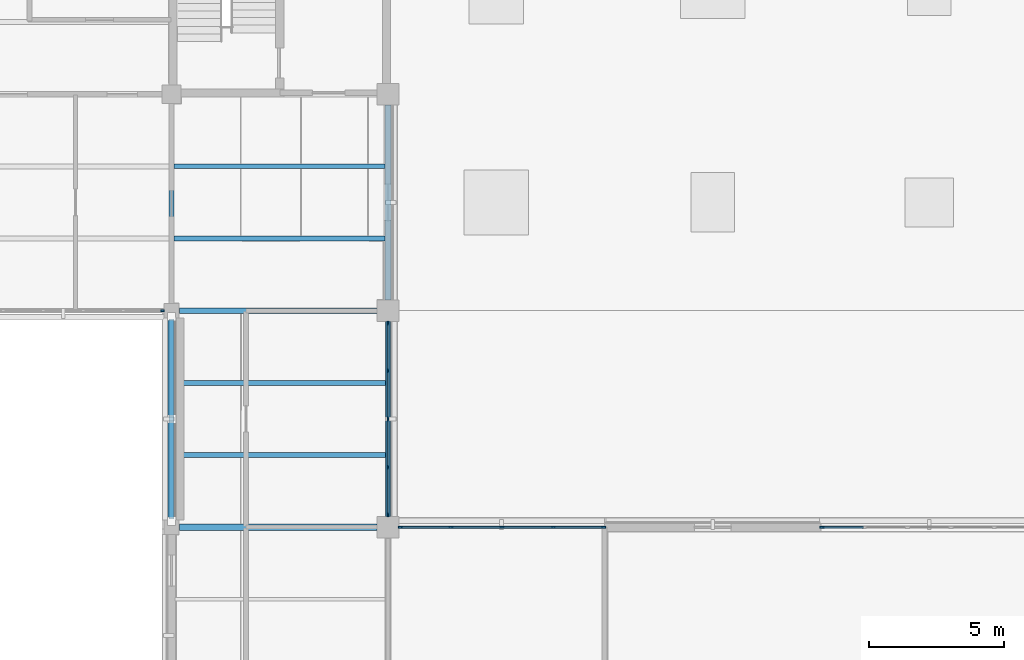
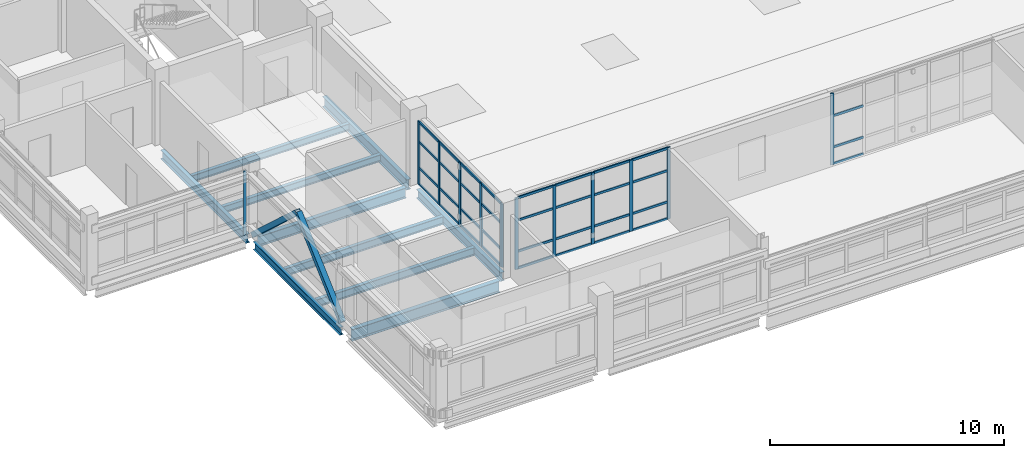
# One storey, part 21 of 107: 49 members, 10 beams, 4 elements without a shape of their own.
"""IFC4 building model written with IfcOpenShell, lengths in metres."""

from ifc_helpers import new_model, si_unit, derived_unit, direction, frame, origin, origin_2d, place, context, subcontext, project, spatial, rectangle, hollow_rectangle, i_section, extrude, material, layer, layer_set, material_profile, profile_set, type_object, element, aggregate, save


model = new_model("IFC4")

# Units and contexts
model_context = context("Model", 3, precision=1e-05, world=origin(), true_north=direction((0.0, 1.0)))
body_context = subcontext(model_context, "Body", "Model", "MODEL_VIEW")
ifc_project = project(units=[si_unit("LENGTHUNIT", "METRE"), si_unit("AREAUNIT", "SQUARE_METRE"), si_unit("VOLUMEUNIT", "CUBIC_METRE"), si_unit("PLANEANGLEUNIT", "RADIAN"), si_unit("MASSUNIT", "GRAM", prefix="KILO"), derived_unit("THERMALTRANSMITTANCEUNIT", [(si_unit("MASSUNIT", "GRAM", prefix="KILO"), 1), (si_unit("TIMEUNIT", "SECOND"), -3), (si_unit("THERMODYNAMICTEMPERATUREUNIT", "KELVIN"), -1)])], contexts=[model_context])

# Site, building, storey
site_placement = place(None, origin())
site = spatial("IfcSite", under=ifc_project, at=site_placement, CompositionType="ELEMENT")
building_placement = place(site_placement, origin())
building = spatial("IfcBuilding", under=site, at=building_placement, Name="Veyamyaing Civic Hall", CompositionType="ELEMENT")
storey_placement = place(building_placement, frame((0.0, 0.0, 13.860107421875)))
storey = spatial("IfcBuildingStorey", under=building, at=storey_placement, Name="L03", CompositionType="ELEMENT", Elevation=13.860107421875)

# Beams
ifc_material_1 = material(Name="Steel ASTM A992", Category="steel")
ifc_material_profile_1 = material_profile(ifc_material_1, i_section(OverallWidth=0.22802734375, OverallDepth=0.60791015625, WebThickness=0.01123046875, FlangeThickness=0.017333984375, FilletRadius=0.012939453125, at=origin_2d()), Name="W610X113")
ifc_profile_set_1 = profile_set([ifc_material_profile_1], Name="Steel ASTM A992")
beam_type_1 = type_object("IfcBeamType", Name="B-06", PredefinedType="BEAM", material=ifc_profile_set_1)
beam_1_placement = place(storey_placement, frame((64.300048828125, 32.0, -0.55908203125), z_axis=(1.0, 0.0, 0.0), x_axis=(0.0, 1.0, 0.0)))
element("IfcBeam", 1, at=beam_1_placement, inside=storey, type_object=beam_type_1, Name="Girder B-06 L03 Grid E 9-10", PredefinedType="BEAM", context=body_context, shape_type="SweptSolid", body=[
    extrude(i_section(OverallWidth=0.22802734375, OverallDepth=0.60791015625, WebThickness=0.01123046875, FlangeThickness=0.017333984375, FilletRadius=0.012939453125, at=origin_2d()), origin(), (0.0, 0.0, 1.0), 7.300048828125),
])
ifc_material_profile_2 = material_profile(ifc_material_1, i_section(OverallWidth=0.208984375, OverallDepth=0.532958984375, WebThickness=0.01025390625, FlangeThickness=0.015625, FilletRadius=0.011962890625, at=origin_2d()), Name="W530X92")
ifc_profile_set_2 = profile_set([ifc_material_profile_2], Name="Steel ASTM A992")
beam_type_2 = type_object("IfcBeamType", Name="B-07", PredefinedType="BEAM", material=ifc_profile_set_2)
beam_2_placement = place(storey_placement, frame((64.300048828125, 40.0, -0.521728515625), z_axis=(1.0, 0.0, 0.0), x_axis=(0.0, 1.0, 0.0)))
element("IfcBeam", 2, at=beam_2_placement, inside=storey, type_object=beam_type_2, Name="Girder B-07 L03 Grid F 9-10", PredefinedType="BEAM", context=body_context, shape_type="SweptSolid", body=[
    extrude(i_section(OverallWidth=0.208984375, OverallDepth=0.532958984375, WebThickness=0.01025390625, FlangeThickness=0.015625, FilletRadius=0.011962890625, at=origin_2d()), origin(), (0.0, 0.0, 1.0), 7.300048828125),
])
ifc_material_profile_3 = material_profile(ifc_material_1, i_section(OverallWidth=0.19189453125, OverallDepth=0.462890625, WebThickness=0.010498046875, FlangeThickness=0.017578125, FilletRadius=0.010009765625, at=origin_2d()), Name="W460X89")
ifc_profile_set_3 = profile_set([ifc_material_profile_3], Name="Steel ASTM A992")
beam_type_3 = type_object("IfcBeamType", Name="B-08", PredefinedType="BEAM", material=ifc_profile_set_3)
beam_3_placement = place(storey_placement, frame((64.0, 40.300048828125, -0.486572265625), z_axis=(0.0, 1.0, 0.0), x_axis=(-1.0, 0.0, 0.0)))
element("IfcBeam", 3, at=beam_3_placement, inside=storey, type_object=beam_type_3, Name="Girder B-08 L03 Grid 9 F-G", PredefinedType="BEAM", context=body_context, shape_type="SweptSolid", body=[
    extrude(i_section(OverallWidth=0.19189453125, OverallDepth=0.462890625, WebThickness=0.010498046875, FlangeThickness=0.017578125, FilletRadius=0.010009765625, at=origin_2d()), origin(), (0.0, 0.0, 1.0), 7.300048828125),
])
beam_4_placement = place(storey_placement, frame((72.0, 32.39990234375, -0.486572265625), z_axis=(0.0, 1.0, 0.0), x_axis=(-1.0, 0.0, 0.0)))
element("IfcBeam", 4, at=beam_4_placement, inside=storey, type_object=beam_type_3, Name="Girder B-08 L03 Grid 10 E-F", PredefinedType="BEAM", context=body_context, shape_type="SweptSolid", body=[
    extrude(i_section(OverallWidth=0.19189453125, OverallDepth=0.462890625, WebThickness=0.010498046875, FlangeThickness=0.017578125, FilletRadius=0.010009765625, at=origin_2d()), origin(), (0.0, 0.0, 1.0), 7.2001953125),
])
ifc_material_profile_4 = material_profile(ifc_material_1, i_section(OverallWidth=0.179931640625, OverallDepth=0.4130859375, WebThickness=0.009765625, FlangeThickness=0.01611328125, FilletRadius=0.010009765625, at=origin_2d()), Name="W410X74")
ifc_profile_set_4 = profile_set([ifc_material_profile_4], Name="Steel ASTM A992")
beam_type_4 = type_object("IfcBeamType", Name="B-10", PredefinedType="SPANDREL", material=ifc_profile_set_4)
beam_5_placement = place(storey_placement, frame((64.0, 32.300048828125, -0.461669921875), z_axis=(0.0, 1.0, 0.0), x_axis=(-1.0, 0.0, 0.0)))
element("IfcBeam", 5, at=beam_5_placement, inside=storey, type_object=beam_type_4, Name="Girder B-10 L03 Grid 9 E-F", PredefinedType="SPANDREL", context=body_context, shape_type="SweptSolid", body=[
    extrude(i_section(OverallWidth=0.179931640625, OverallDepth=0.4130859375, WebThickness=0.009765625, FlangeThickness=0.01611328125, FilletRadius=0.010009765625, at=origin_2d()), origin(), (0.0, 0.0, 1.0), 7.39990234375),
])
ifc_material_profile_5 = material_profile(ifc_material_1, i_section(OverallWidth=0.2109375, OverallDepth=0.5390625, WebThickness=0.01171875, FlangeThickness=0.018798828125, FilletRadius=0.011962890625, at=origin_2d()), Name="W530X109")
ifc_profile_set_5 = profile_set([ifc_material_profile_5], Name="Steel ASTM A992")
beam_type_5 = type_object("IfcBeamType", Name="B-17", PredefinedType="BEAM", material=ifc_profile_set_5)
beam_6_placement = place(storey_placement, frame((72.0, 40.39990234375, -0.524658203125), z_axis=(0.0, 1.0, 0.0), x_axis=(-1.0, 0.0, 0.0)))
element("IfcBeam", 6, at=beam_6_placement, inside=storey, type_object=beam_type_5, Name="Girder B-17 L03 Grid 10 F-G", PredefinedType="BEAM", context=body_context, shape_type="SweptSolid", body=[
    extrude(i_section(OverallWidth=0.2109375, OverallDepth=0.5390625, WebThickness=0.01171875, FlangeThickness=0.018798828125, FilletRadius=0.011962890625, at=origin_2d()), origin(), (0.0, 0.0, 1.0), 7.2001953125),
])

# Members
ifc_material_2 = material(Name="Steel S355J2", Category="steel")
ifc_material_profile_6 = material_profile(ifc_material_2, hollow_rectangle(XDim=0.25390625, YDim=0.25390625, WallThickness=0.0126953125, at=origin_2d()), Name="HSS254X254X12.7")
ifc_profile_set_6 = profile_set([ifc_material_profile_6], Name="Steel S355J2")
member_type_1 = type_object("IfcMemberType", Name="BR-01", PredefinedType="BRACE", material=ifc_profile_set_6)
for number, where, z_axis, x_axis, name in (
    (7, (64.0, 32.219970703125, 0.0498046875), (0.0, 0.73762264058, 0.675213181227), (-1.0, 0.0, 0.0), "Seismic chevron brace BR-01 BF-CW L03.L"),
    (8, (64.0, 39.780029296875, 0.0498046875), (0.0, -0.73762264058, 0.675213181227), (1.0, 0.0, 0.0), "Seismic chevron brace BR-01 BF-CW L03.R"),
):
    element("IfcMember", number, at=place(storey_placement, frame(where, z_axis=z_axis, x_axis=x_axis)), inside=storey, type_object=member_type_1, Name=name, PredefinedType="BRACE", context=body_context, shape_type="SweptSolid", body=[
        extrude(hollow_rectangle(XDim=0.25390625, YDim=0.25390625, WallThickness=0.0126953125, at=origin_2d()), origin(), (0.0, 0.0, 1.0), 5.12451171875),
    ])

# Curtain wall, members
ifc_material_3 = material(Name="Anodised aluminium 6063-T6", Category="aluminium")
ifc_layer_1 = layer(ifc_material_3, 0.159912109375, Name="Anodised aluminium 6063-T6")
ifc_layer_set_1 = layer_set([ifc_layer_1], Name="Anodised aluminium 6063-T6")
curtain_wall_type_1 = type_object("IfcCurtainWallType", Name="CW-07", PredefinedType="NOTDEFINED", material=ifc_layer_set_1)
curtain_wall_1_placement = place(storey_placement, origin())
curtain_wall_1 = element("IfcCurtainWall", 9, at=curtain_wall_1_placement, inside=storey, type_object=curtain_wall_type_1, Name="Unitized curtain wall CW-07 L03 E 9.5", PredefinedType="NOTDEFINED")
ifc_material_profile_7 = material_profile(ifc_material_3, rectangle(XDim=0.06494140625, YDim=0.159912109375, at=origin_2d()), Name="ALU-MUL-65X160")
ifc_profile_set_7 = profile_set([ifc_material_profile_7], Name="Anodised aluminium 6063-T6")
member_type_2 = type_object("IfcMemberType", Name="CWM-01", PredefinedType="MULLION", material=ifc_profile_set_7)
member_1_placement = place(storey_placement, frame((72.0, 32.46240234375, 0.0), z_axis=(0.0, 0.0, 1.0), x_axis=(-1.0, 0.0, 0.0)))
member_1 = element("IfcMember", 10, at=member_1_placement, type_object=member_type_2, Name="CW-07 mullion 1", PredefinedType="MULLION", context=body_context, shape_type="SweptSolid", body=[
    extrude(rectangle(XDim=0.06494140625, YDim=0.159912109375, at=origin_2d()), origin(), (0.0, 0.0, 1.0), 3.2998046875),
])
member_2_placement = place(storey_placement, frame((72.0, 34.215087890625, 0.0), z_axis=(0.0, 0.0, 1.0), x_axis=(-1.0, 0.0, 0.0)))
member_2 = element("IfcMember", 11, at=member_2_placement, type_object=member_type_2, Name="CW-07 mullion 2", PredefinedType="MULLION", context=body_context, shape_type="SweptSolid", body=[
    extrude(rectangle(XDim=0.06494140625, YDim=0.159912109375, at=origin_2d()), origin(), (0.0, 0.0, 1.0), 3.2998046875),
])
member_3_placement = place(storey_placement, frame((72.0, 36.0, 0.0), z_axis=(0.0, 0.0, 1.0), x_axis=(-1.0, 0.0, 0.0)))
member_3 = element("IfcMember", 12, at=member_3_placement, type_object=member_type_2, Name="CW-07 mullion 3", PredefinedType="MULLION", context=body_context, shape_type="SweptSolid", body=[
    extrude(rectangle(XDim=0.06494140625, YDim=0.159912109375, at=origin_2d()), origin(), (0.0, 0.0, 1.0), 3.2998046875),
])
member_4_placement = place(storey_placement, frame((72.0, 37.784912109375, 0.0), z_axis=(0.0, 0.0, 1.0), x_axis=(-1.0, 0.0, 0.0)))
member_4 = element("IfcMember", 13, at=member_4_placement, type_object=member_type_2, Name="CW-07 mullion 4", PredefinedType="MULLION", context=body_context, shape_type="SweptSolid", body=[
    extrude(rectangle(XDim=0.06494140625, YDim=0.159912109375, at=origin_2d()), origin(), (0.0, 0.0, 1.0), 3.2998046875),
])
member_5_placement = place(storey_placement, frame((72.0, 39.53759765625, 0.0), z_axis=(0.0, 0.0, 1.0), x_axis=(-1.0, 0.0, 0.0)))
member_5 = element("IfcMember", 14, at=member_5_placement, type_object=member_type_2, Name="CW-07 mullion 5", PredefinedType="MULLION", context=body_context, shape_type="SweptSolid", body=[
    extrude(rectangle(XDim=0.06494140625, YDim=0.159912109375, at=origin_2d()), origin(), (0.0, 0.0, 1.0), 3.2998046875),
])

curtain_wall_2_placement = place(storey_placement, origin())
curtain_wall_2 = element("IfcCurtainWall", 15, at=curtain_wall_2_placement, inside=storey, type_object=curtain_wall_type_1, Name="Unitized curtain wall CW-07 L03 N 10.4", PredefinedType="NOTDEFINED")
member_6_placement = place(storey_placement, frame((72.46240234375, 32.0, 0.0), z_axis=(0.0, 0.0, 1.0), x_axis=(0.0, 1.0, 0.0)))
member_6 = element("IfcMember", 16, at=member_6_placement, type_object=member_type_2, Name="CW-07 mullion 1", PredefinedType="MULLION", context=body_context, shape_type="SweptSolid", body=[
    extrude(rectangle(XDim=0.06494140625, YDim=0.159912109375, at=origin_2d()), origin(), (0.0, 0.0, 1.0), 3.724853515625),
])
member_7_placement = place(storey_placement, frame((74.322509765625, 32.0, 0.0), z_axis=(0.0, 0.0, 1.0), x_axis=(0.0, 1.0, 0.0)))
member_7 = element("IfcMember", 17, at=member_7_placement, type_object=member_type_2, Name="CW-07 mullion 2", PredefinedType="MULLION", context=body_context, shape_type="SweptSolid", body=[
    extrude(rectangle(XDim=0.06494140625, YDim=0.159912109375, at=origin_2d()), origin(), (0.0, 0.0, 1.0), 3.724853515625),
])
member_8_placement = place(storey_placement, frame((76.215087890625, 32.0, 0.0), z_axis=(0.0, 0.0, 1.0), x_axis=(0.0, 1.0, 0.0)))
member_8 = element("IfcMember", 18, at=member_8_placement, type_object=member_type_2, Name="CW-07 mullion 3", PredefinedType="MULLION", context=body_context, shape_type="SweptSolid", body=[
    extrude(rectangle(XDim=0.06494140625, YDim=0.159912109375, at=origin_2d()), origin(), (0.0, 0.0, 1.0), 3.724853515625),
])
member_9_placement = place(storey_placement, frame((78.107421875, 32.0, 0.0), z_axis=(0.0, 0.0, 1.0), x_axis=(0.0, 1.0, 0.0)))
member_9 = element("IfcMember", 19, at=member_9_placement, type_object=member_type_2, Name="CW-07 mullion 4", PredefinedType="MULLION", context=body_context, shape_type="SweptSolid", body=[
    extrude(rectangle(XDim=0.06494140625, YDim=0.159912109375, at=origin_2d()), origin(), (0.0, 0.0, 1.0), 3.724853515625),
])
member_10_placement = place(storey_placement, frame((79.967529296875, 32.0, 0.0), z_axis=(0.0, 0.0, 1.0), x_axis=(0.0, 1.0, 0.0)))
member_10 = element("IfcMember", 20, at=member_10_placement, type_object=member_type_2, Name="CW-07 mullion 5", PredefinedType="MULLION", context=body_context, shape_type="SweptSolid", body=[
    extrude(rectangle(XDim=0.06494140625, YDim=0.159912109375, at=origin_2d()), origin(), (0.0, 0.0, 1.0), 3.724853515625),
])

# Curtain wall, member
curtain_wall_3_placement = place(storey_placement, origin())
curtain_wall_3 = element("IfcCurtainWall", 21, at=curtain_wall_3_placement, inside=storey, type_object=curtain_wall_type_1, Name="Unitized curtain wall CW-07 L03 N 12.4", PredefinedType="NOTDEFINED")
member_11_placement = place(storey_placement, frame((88.032470703125, 32.0, 0.0), z_axis=(0.0, 0.0, 1.0), x_axis=(0.0, 1.0, 0.0)))
member_11 = element("IfcMember", 22, at=member_11_placement, type_object=member_type_2, Name="CW-07 mullion 1", PredefinedType="MULLION", context=body_context, shape_type="SweptSolid", body=[
    extrude(rectangle(XDim=0.06494140625, YDim=0.159912109375, at=origin_2d()), origin(), (0.0, 0.0, 1.0), 3.724853515625),
])

ifc_layer_2 = layer(ifc_material_3, 0.139892578125, Name="Anodised aluminium 6063-T6")
ifc_layer_set_2 = layer_set([ifc_layer_2], Name="Anodised aluminium 6063-T6")
curtain_wall_type_2 = type_object("IfcCurtainWallType", Name="CW-04", PredefinedType="NOTDEFINED", material=ifc_layer_set_2)
curtain_wall_4_placement = place(storey_placement, origin())
curtain_wall_4 = element("IfcCurtainWall", 23, at=curtain_wall_4_placement, inside=storey, type_object=curtain_wall_type_2, Name="Unitized curtain wall CW-04 L03 S 8.6", PredefinedType="NOTDEFINED")
ifc_material_profile_8 = material_profile(ifc_material_3, rectangle(XDim=0.06005859375, YDim=0.139892578125, at=origin_2d()), Name="ALU-MUL-60X140")
ifc_profile_set_8 = profile_set([ifc_material_profile_8], Name="Anodised aluminium 6063-T6")
member_type_3 = type_object("IfcMemberType", Name="CWM-03", PredefinedType="MULLION", material=ifc_profile_set_8)
member_12_placement = place(storey_placement, frame((63.6650390625, 40.0, 0.0), z_axis=(0.0, 0.0, 1.0), x_axis=(0.0, 1.0, 0.0)))
member_12 = element("IfcMember", 24, at=member_12_placement, type_object=member_type_3, Name="CW-04 mullion 6", PredefinedType="MULLION", context=body_context, shape_type="SweptSolid", body=[
    extrude(rectangle(XDim=0.06005859375, YDim=0.139892578125, at=origin_2d()), origin(), (0.0, 0.0, 1.0), 3.366943359375),
])
aggregate(curtain_wall_4, [member_12])

# Member
ifc_material_profile_9 = material_profile(ifc_material_3, rectangle(XDim=0.06494140625, YDim=0.1201171875, at=origin_2d()), Name="ALU-TRN-65X120")
ifc_profile_set_9 = profile_set([ifc_material_profile_9], Name="Anodised aluminium 6063-T6")
member_type_4 = type_object("IfcMemberType", Name="CWT-01", PredefinedType="USERDEFINED", material=ifc_profile_set_9)
member_13_placement = place(storey_placement, frame((72.0, 32.4951171875, 0.032470703125), z_axis=(0.0, 1.0, 0.0), x_axis=(-1.0, 0.0, 0.0)))
member_13 = element("IfcMember", 25, at=member_13_placement, type_object=member_type_4, Name="CW-07 transom 1.1", ObjectType="TRANSOM", PredefinedType="USERDEFINED", context=body_context, shape_type="SweptSolid", body=[
    extrude(rectangle(XDim=0.06494140625, YDim=0.1201171875, at=origin_2d()), origin(), (0.0, 0.0, 1.0), 1.6875),
])

member_14_placement = place(storey_placement, frame((72.0, 32.4951171875, 0.89990234375), z_axis=(0.0, 1.0, 0.0), x_axis=(-1.0, 0.0, 0.0)))
member_14 = element("IfcMember", 26, at=member_14_placement, type_object=member_type_4, Name="CW-07 transom 1.2", ObjectType="TRANSOM", PredefinedType="USERDEFINED", context=body_context, shape_type="SweptSolid", body=[
    extrude(rectangle(XDim=0.06494140625, YDim=0.1201171875, at=origin_2d()), origin(), (0.0, 0.0, 1.0), 1.6875),
])

member_15_placement = place(storey_placement, frame((72.0, 32.4951171875, 2.243896484375), z_axis=(0.0, 1.0, 0.0), x_axis=(-1.0, 0.0, 0.0)))
member_15 = element("IfcMember", 27, at=member_15_placement, type_object=member_type_4, Name="CW-07 transom 1.3", ObjectType="TRANSOM", PredefinedType="USERDEFINED", context=body_context, shape_type="SweptSolid", body=[
    extrude(rectangle(XDim=0.06494140625, YDim=0.1201171875, at=origin_2d()), origin(), (0.0, 0.0, 1.0), 1.6875),
])

member_16_placement = place(storey_placement, frame((72.0, 32.4951171875, 3.267333984375), z_axis=(0.0, 1.0, 0.0), x_axis=(-1.0, 0.0, 0.0)))
member_16 = element("IfcMember", 28, at=member_16_placement, type_object=member_type_4, Name="CW-07 transom 1.4", ObjectType="TRANSOM", PredefinedType="USERDEFINED", context=body_context, shape_type="SweptSolid", body=[
    extrude(rectangle(XDim=0.06494140625, YDim=0.1201171875, at=origin_2d()), origin(), (0.0, 0.0, 1.0), 1.6875),
])

member_17_placement = place(storey_placement, frame((72.0, 34.24755859375, 0.032470703125), z_axis=(0.0, 1.0, 0.0), x_axis=(-1.0, 0.0, 0.0)))
member_17 = element("IfcMember", 29, at=member_17_placement, type_object=member_type_4, Name="CW-07 transom 2.1", ObjectType="TRANSOM", PredefinedType="USERDEFINED", context=body_context, shape_type="SweptSolid", body=[
    extrude(rectangle(XDim=0.06494140625, YDim=0.1201171875, at=origin_2d()), origin(), (0.0, 0.0, 1.0), 1.719970703125),
])

member_18_placement = place(storey_placement, frame((72.0, 34.24755859375, 0.89990234375), z_axis=(0.0, 1.0, 0.0), x_axis=(-1.0, 0.0, 0.0)))
member_18 = element("IfcMember", 30, at=member_18_placement, type_object=member_type_4, Name="CW-07 transom 2.2", ObjectType="TRANSOM", PredefinedType="USERDEFINED", context=body_context, shape_type="SweptSolid", body=[
    extrude(rectangle(XDim=0.06494140625, YDim=0.1201171875, at=origin_2d()), origin(), (0.0, 0.0, 1.0), 1.719970703125),
])

member_19_placement = place(storey_placement, frame((72.0, 34.24755859375, 2.243896484375), z_axis=(0.0, 1.0, 0.0), x_axis=(-1.0, 0.0, 0.0)))
member_19 = element("IfcMember", 31, at=member_19_placement, type_object=member_type_4, Name="CW-07 transom 2.3", ObjectType="TRANSOM", PredefinedType="USERDEFINED", context=body_context, shape_type="SweptSolid", body=[
    extrude(rectangle(XDim=0.06494140625, YDim=0.1201171875, at=origin_2d()), origin(), (0.0, 0.0, 1.0), 1.719970703125),
])

member_20_placement = place(storey_placement, frame((72.0, 34.24755859375, 3.267333984375), z_axis=(0.0, 1.0, 0.0), x_axis=(-1.0, 0.0, 0.0)))
member_20 = element("IfcMember", 32, at=member_20_placement, type_object=member_type_4, Name="CW-07 transom 2.4", ObjectType="TRANSOM", PredefinedType="USERDEFINED", context=body_context, shape_type="SweptSolid", body=[
    extrude(rectangle(XDim=0.06494140625, YDim=0.1201171875, at=origin_2d()), origin(), (0.0, 0.0, 1.0), 1.719970703125),
])

member_21_placement = place(storey_placement, frame((72.0, 36.032470703125, 0.032470703125), z_axis=(0.0, 1.0, 0.0), x_axis=(-1.0, 0.0, 0.0)))
member_21 = element("IfcMember", 33, at=member_21_placement, type_object=member_type_4, Name="CW-07 transom 3.1", ObjectType="TRANSOM", PredefinedType="USERDEFINED", context=body_context, shape_type="SweptSolid", body=[
    extrude(rectangle(XDim=0.06494140625, YDim=0.1201171875, at=origin_2d()), origin(), (0.0, 0.0, 1.0), 1.719970703125),
])

member_22_placement = place(storey_placement, frame((72.0, 36.032470703125, 0.89990234375), z_axis=(0.0, 1.0, 0.0), x_axis=(-1.0, 0.0, 0.0)))
member_22 = element("IfcMember", 34, at=member_22_placement, type_object=member_type_4, Name="CW-07 transom 3.2", ObjectType="TRANSOM", PredefinedType="USERDEFINED", context=body_context, shape_type="SweptSolid", body=[
    extrude(rectangle(XDim=0.06494140625, YDim=0.1201171875, at=origin_2d()), origin(), (0.0, 0.0, 1.0), 1.719970703125),
])

member_23_placement = place(storey_placement, frame((72.0, 36.032470703125, 2.243896484375), z_axis=(0.0, 1.0, 0.0), x_axis=(-1.0, 0.0, 0.0)))
member_23 = element("IfcMember", 35, at=member_23_placement, type_object=member_type_4, Name="CW-07 transom 3.3", ObjectType="TRANSOM", PredefinedType="USERDEFINED", context=body_context, shape_type="SweptSolid", body=[
    extrude(rectangle(XDim=0.06494140625, YDim=0.1201171875, at=origin_2d()), origin(), (0.0, 0.0, 1.0), 1.719970703125),
])

member_24_placement = place(storey_placement, frame((72.0, 36.032470703125, 3.267333984375), z_axis=(0.0, 1.0, 0.0), x_axis=(-1.0, 0.0, 0.0)))
member_24 = element("IfcMember", 36, at=member_24_placement, type_object=member_type_4, Name="CW-07 transom 3.4", ObjectType="TRANSOM", PredefinedType="USERDEFINED", context=body_context, shape_type="SweptSolid", body=[
    extrude(rectangle(XDim=0.06494140625, YDim=0.1201171875, at=origin_2d()), origin(), (0.0, 0.0, 1.0), 1.719970703125),
])

member_25_placement = place(storey_placement, frame((72.0, 37.8173828125, 0.032470703125), z_axis=(0.0, 1.0, 0.0), x_axis=(-1.0, 0.0, 0.0)))
member_25 = element("IfcMember", 37, at=member_25_placement, type_object=member_type_4, Name="CW-07 transom 4.1", ObjectType="TRANSOM", PredefinedType="USERDEFINED", context=body_context, shape_type="SweptSolid", body=[
    extrude(rectangle(XDim=0.06494140625, YDim=0.1201171875, at=origin_2d()), origin(), (0.0, 0.0, 1.0), 1.6875),
])

member_26_placement = place(storey_placement, frame((72.0, 37.8173828125, 0.89990234375), z_axis=(0.0, 1.0, 0.0), x_axis=(-1.0, 0.0, 0.0)))
member_26 = element("IfcMember", 38, at=member_26_placement, type_object=member_type_4, Name="CW-07 transom 4.2", ObjectType="TRANSOM", PredefinedType="USERDEFINED", context=body_context, shape_type="SweptSolid", body=[
    extrude(rectangle(XDim=0.06494140625, YDim=0.1201171875, at=origin_2d()), origin(), (0.0, 0.0, 1.0), 1.6875),
])

member_27_placement = place(storey_placement, frame((72.0, 37.8173828125, 2.243896484375), z_axis=(0.0, 1.0, 0.0), x_axis=(-1.0, 0.0, 0.0)))
member_27 = element("IfcMember", 39, at=member_27_placement, type_object=member_type_4, Name="CW-07 transom 4.3", ObjectType="TRANSOM", PredefinedType="USERDEFINED", context=body_context, shape_type="SweptSolid", body=[
    extrude(rectangle(XDim=0.06494140625, YDim=0.1201171875, at=origin_2d()), origin(), (0.0, 0.0, 1.0), 1.6875),
])

member_28_placement = place(storey_placement, frame((72.0, 37.8173828125, 3.267333984375), z_axis=(0.0, 1.0, 0.0), x_axis=(-1.0, 0.0, 0.0)))
member_28 = element("IfcMember", 40, at=member_28_placement, type_object=member_type_4, Name="CW-07 transom 4.4", ObjectType="TRANSOM", PredefinedType="USERDEFINED", context=body_context, shape_type="SweptSolid", body=[
    extrude(rectangle(XDim=0.06494140625, YDim=0.1201171875, at=origin_2d()), origin(), (0.0, 0.0, 1.0), 1.6875),
])

aggregate(curtain_wall_1, [member_1, member_2, member_3, member_4, member_5, member_13, member_14, member_15, member_16, member_17, member_18, member_19, member_20, member_21, member_22, member_23, member_24, member_25, member_26, member_27, member_28])

member_29_placement = place(storey_placement, frame((72.4951171875, 32.0, 0.032470703125), z_axis=(1.0, 0.0, 0.0), x_axis=(0.0, 1.0, 0.0)))
member_29 = element("IfcMember", 41, at=member_29_placement, type_object=member_type_4, Name="CW-07 transom 1.1", ObjectType="TRANSOM", PredefinedType="USERDEFINED", context=body_context, shape_type="SweptSolid", body=[
    extrude(rectangle(XDim=0.06494140625, YDim=0.1201171875, at=origin_2d()), origin(), (0.0, 0.0, 1.0), 1.794921875),
])

member_30_placement = place(storey_placement, frame((72.4951171875, 32.0, 0.89990234375), z_axis=(1.0, 0.0, 0.0), x_axis=(0.0, 1.0, 0.0)))
member_30 = element("IfcMember", 42, at=member_30_placement, type_object=member_type_4, Name="CW-07 transom 1.2", ObjectType="TRANSOM", PredefinedType="USERDEFINED", context=body_context, shape_type="SweptSolid", body=[
    extrude(rectangle(XDim=0.06494140625, YDim=0.1201171875, at=origin_2d()), origin(), (0.0, 0.0, 1.0), 1.794921875),
])

member_31_placement = place(storey_placement, frame((72.4951171875, 32.0, 2.532958984375), z_axis=(1.0, 0.0, 0.0), x_axis=(0.0, 1.0, 0.0)))
member_31 = element("IfcMember", 43, at=member_31_placement, type_object=member_type_4, Name="CW-07 transom 1.3", ObjectType="TRANSOM", PredefinedType="USERDEFINED", context=body_context, shape_type="SweptSolid", body=[
    extrude(rectangle(XDim=0.06494140625, YDim=0.1201171875, at=origin_2d()), origin(), (0.0, 0.0, 1.0), 1.794921875),
])

member_32_placement = place(storey_placement, frame((72.4951171875, 32.0, 3.6923828125), z_axis=(1.0, 0.0, 0.0), x_axis=(0.0, 1.0, 0.0)))
member_32 = element("IfcMember", 44, at=member_32_placement, type_object=member_type_4, Name="CW-07 transom 1.4", ObjectType="TRANSOM", PredefinedType="USERDEFINED", context=body_context, shape_type="SweptSolid", body=[
    extrude(rectangle(XDim=0.06494140625, YDim=0.1201171875, at=origin_2d()), origin(), (0.0, 0.0, 1.0), 1.794921875),
])

member_33_placement = place(storey_placement, frame((74.35498046875, 32.0, 0.032470703125), z_axis=(1.0, 0.0, 0.0), x_axis=(0.0, 1.0, 0.0)))
member_33 = element("IfcMember", 45, at=member_33_placement, type_object=member_type_4, Name="CW-07 transom 2.1", ObjectType="TRANSOM", PredefinedType="USERDEFINED", context=body_context, shape_type="SweptSolid", body=[
    extrude(rectangle(XDim=0.06494140625, YDim=0.1201171875, at=origin_2d()), origin(), (0.0, 0.0, 1.0), 1.82763671875),
])

member_34_placement = place(storey_placement, frame((74.35498046875, 32.0, 0.89990234375), z_axis=(1.0, 0.0, 0.0), x_axis=(0.0, 1.0, 0.0)))
member_34 = element("IfcMember", 46, at=member_34_placement, type_object=member_type_4, Name="CW-07 transom 2.2", ObjectType="TRANSOM", PredefinedType="USERDEFINED", context=body_context, shape_type="SweptSolid", body=[
    extrude(rectangle(XDim=0.06494140625, YDim=0.1201171875, at=origin_2d()), origin(), (0.0, 0.0, 1.0), 1.82763671875),
])

member_35_placement = place(storey_placement, frame((74.35498046875, 32.0, 2.532958984375), z_axis=(1.0, 0.0, 0.0), x_axis=(0.0, 1.0, 0.0)))
member_35 = element("IfcMember", 47, at=member_35_placement, type_object=member_type_4, Name="CW-07 transom 2.3", ObjectType="TRANSOM", PredefinedType="USERDEFINED", context=body_context, shape_type="SweptSolid", body=[
    extrude(rectangle(XDim=0.06494140625, YDim=0.1201171875, at=origin_2d()), origin(), (0.0, 0.0, 1.0), 1.82763671875),
])

member_36_placement = place(storey_placement, frame((74.35498046875, 32.0, 3.6923828125), z_axis=(1.0, 0.0, 0.0), x_axis=(0.0, 1.0, 0.0)))
member_36 = element("IfcMember", 48, at=member_36_placement, type_object=member_type_4, Name="CW-07 transom 2.4", ObjectType="TRANSOM", PredefinedType="USERDEFINED", context=body_context, shape_type="SweptSolid", body=[
    extrude(rectangle(XDim=0.06494140625, YDim=0.1201171875, at=origin_2d()), origin(), (0.0, 0.0, 1.0), 1.82763671875),
])

member_37_placement = place(storey_placement, frame((76.24755859375, 32.0, 0.032470703125), z_axis=(1.0, 0.0, 0.0), x_axis=(0.0, 1.0, 0.0)))
member_37 = element("IfcMember", 49, at=member_37_placement, type_object=member_type_4, Name="CW-07 transom 3.1", ObjectType="TRANSOM", PredefinedType="USERDEFINED", context=body_context, shape_type="SweptSolid", body=[
    extrude(rectangle(XDim=0.06494140625, YDim=0.1201171875, at=origin_2d()), origin(), (0.0, 0.0, 1.0), 1.827392578125),
])

member_38_placement = place(storey_placement, frame((76.24755859375, 32.0, 0.89990234375), z_axis=(1.0, 0.0, 0.0), x_axis=(0.0, 1.0, 0.0)))
member_38 = element("IfcMember", 50, at=member_38_placement, type_object=member_type_4, Name="CW-07 transom 3.2", ObjectType="TRANSOM", PredefinedType="USERDEFINED", context=body_context, shape_type="SweptSolid", body=[
    extrude(rectangle(XDim=0.06494140625, YDim=0.1201171875, at=origin_2d()), origin(), (0.0, 0.0, 1.0), 1.827392578125),
])

member_39_placement = place(storey_placement, frame((76.24755859375, 32.0, 2.532958984375), z_axis=(1.0, 0.0, 0.0), x_axis=(0.0, 1.0, 0.0)))
member_39 = element("IfcMember", 51, at=member_39_placement, type_object=member_type_4, Name="CW-07 transom 3.3", ObjectType="TRANSOM", PredefinedType="USERDEFINED", context=body_context, shape_type="SweptSolid", body=[
    extrude(rectangle(XDim=0.06494140625, YDim=0.1201171875, at=origin_2d()), origin(), (0.0, 0.0, 1.0), 1.827392578125),
])

member_40_placement = place(storey_placement, frame((76.24755859375, 32.0, 3.6923828125), z_axis=(1.0, 0.0, 0.0), x_axis=(0.0, 1.0, 0.0)))
member_40 = element("IfcMember", 52, at=member_40_placement, type_object=member_type_4, Name="CW-07 transom 3.4", ObjectType="TRANSOM", PredefinedType="USERDEFINED", context=body_context, shape_type="SweptSolid", body=[
    extrude(rectangle(XDim=0.06494140625, YDim=0.1201171875, at=origin_2d()), origin(), (0.0, 0.0, 1.0), 1.827392578125),
])

member_41_placement = place(storey_placement, frame((78.139892578125, 32.0, 0.032470703125), z_axis=(1.0, 0.0, 0.0), x_axis=(0.0, 1.0, 0.0)))
member_41 = element("IfcMember", 53, at=member_41_placement, type_object=member_type_4, Name="CW-07 transom 4.1", ObjectType="TRANSOM", PredefinedType="USERDEFINED", context=body_context, shape_type="SweptSolid", body=[
    extrude(rectangle(XDim=0.06494140625, YDim=0.1201171875, at=origin_2d()), origin(), (0.0, 0.0, 1.0), 1.795166015625),
])

member_42_placement = place(storey_placement, frame((78.139892578125, 32.0, 0.89990234375), z_axis=(1.0, 0.0, 0.0), x_axis=(0.0, 1.0, 0.0)))
member_42 = element("IfcMember", 54, at=member_42_placement, type_object=member_type_4, Name="CW-07 transom 4.2", ObjectType="TRANSOM", PredefinedType="USERDEFINED", context=body_context, shape_type="SweptSolid", body=[
    extrude(rectangle(XDim=0.06494140625, YDim=0.1201171875, at=origin_2d()), origin(), (0.0, 0.0, 1.0), 1.795166015625),
])

member_43_placement = place(storey_placement, frame((78.139892578125, 32.0, 2.532958984375), z_axis=(1.0, 0.0, 0.0), x_axis=(0.0, 1.0, 0.0)))
member_43 = element("IfcMember", 55, at=member_43_placement, type_object=member_type_4, Name="CW-07 transom 4.3", ObjectType="TRANSOM", PredefinedType="USERDEFINED", context=body_context, shape_type="SweptSolid", body=[
    extrude(rectangle(XDim=0.06494140625, YDim=0.1201171875, at=origin_2d()), origin(), (0.0, 0.0, 1.0), 1.795166015625),
])

member_44_placement = place(storey_placement, frame((78.139892578125, 32.0, 3.6923828125), z_axis=(1.0, 0.0, 0.0), x_axis=(0.0, 1.0, 0.0)))
member_44 = element("IfcMember", 56, at=member_44_placement, type_object=member_type_4, Name="CW-07 transom 4.4", ObjectType="TRANSOM", PredefinedType="USERDEFINED", context=body_context, shape_type="SweptSolid", body=[
    extrude(rectangle(XDim=0.06494140625, YDim=0.1201171875, at=origin_2d()), origin(), (0.0, 0.0, 1.0), 1.795166015625),
])

aggregate(curtain_wall_2, [member_6, member_7, member_8, member_9, member_10, member_29, member_30, member_31, member_32, member_33, member_34, member_35, member_36, member_37, member_38, member_39, member_40, member_41, member_42, member_43, member_44])

member_45_placement = place(storey_placement, frame((88.06494140625, 32.0, 0.032470703125), z_axis=(1.0, 0.0, 0.0), x_axis=(0.0, 1.0, 0.0)))
member_45 = element("IfcMember", 57, at=member_45_placement, type_object=member_type_4, Name="CW-07 transom 1.1", ObjectType="TRANSOM", PredefinedType="USERDEFINED", context=body_context, shape_type="SweptSolid", body=[
    extrude(rectangle(XDim=0.06494140625, YDim=0.1201171875, at=origin_2d()), origin(), (0.0, 0.0, 1.0), 1.50244140625),
])

member_46_placement = place(storey_placement, frame((88.06494140625, 32.0, 0.89990234375), z_axis=(1.0, 0.0, 0.0), x_axis=(0.0, 1.0, 0.0)))
member_46 = element("IfcMember", 58, at=member_46_placement, type_object=member_type_4, Name="CW-07 transom 1.2", ObjectType="TRANSOM", PredefinedType="USERDEFINED", context=body_context, shape_type="SweptSolid", body=[
    extrude(rectangle(XDim=0.06494140625, YDim=0.1201171875, at=origin_2d()), origin(), (0.0, 0.0, 1.0), 1.50244140625),
])

member_47_placement = place(storey_placement, frame((88.06494140625, 32.0, 2.532958984375), z_axis=(1.0, 0.0, 0.0), x_axis=(0.0, 1.0, 0.0)))
member_47 = element("IfcMember", 59, at=member_47_placement, type_object=member_type_4, Name="CW-07 transom 1.3", ObjectType="TRANSOM", PredefinedType="USERDEFINED", context=body_context, shape_type="SweptSolid", body=[
    extrude(rectangle(XDim=0.06494140625, YDim=0.1201171875, at=origin_2d()), origin(), (0.0, 0.0, 1.0), 1.50244140625),
])

aggregate(curtain_wall_3, [member_11, member_45, member_46, member_47])

# Beams
ifc_material_profile_10 = material_profile(ifc_material_1, i_section(OverallWidth=0.177978515625, OverallDepth=0.406982421875, WebThickness=0.0078125, FlangeThickness=0.0126953125, FilletRadius=0.010009765625, at=origin_2d()), Name="W410X60")
ifc_profile_set_10 = profile_set([ifc_material_profile_10], Name="Steel ASTM A992")
beam_type_6 = type_object("IfcBeamType", Name="J-01", PredefinedType="JOIST", material=ifc_profile_set_10)
for number, where, z_axis, x_axis, name in (
    (60, (64.087890625, 34.666748046875, -0.45849609375), (1.0, 0.0, 0.0), (0.0, 1.0, 0.0), "Composite floor joist J-01 L03 9.5.1"),
    (61, (64.087890625, 37.333251953125, -0.45849609375), (1.0, 0.0, 0.0), (0.0, 1.0, 0.0), "Composite floor joist J-01 L03 9.5.2"),
):
    element("IfcBeam", number, at=place(storey_placement, frame(where, z_axis=z_axis, x_axis=x_axis)), inside=storey, type_object=beam_type_6, Name=name, PredefinedType="JOIST", context=body_context, shape_type="SweptSolid", body=[
        extrude(i_section(OverallWidth=0.177978515625, OverallDepth=0.406982421875, WebThickness=0.0078125, FlangeThickness=0.0126953125, FilletRadius=0.010009765625, at=origin_2d()), origin(), (0.0, 0.0, 1.0), 7.818115234375),
    ])
ifc_material_profile_11 = material_profile(ifc_material_1, i_section(OverallWidth=0.172119140625, OverallDepth=0.35791015625, WebThickness=0.0078125, FlangeThickness=0.01318359375, FilletRadius=0.010009765625, at=origin_2d()), Name="W360X57")
ifc_profile_set_11 = profile_set([ifc_material_profile_11], Name="Steel ASTM A992")
beam_type_7 = type_object("IfcBeamType", Name="J-02", PredefinedType="JOIST", material=ifc_profile_set_11)
for number, where, z_axis, x_axis, name in (
    (62, (64.093994140625, 42.666748046875, -0.43408203125), (1.0, 0.0, 0.0), (0.0, 1.0, 0.0), "Composite floor joist J-02 L03 9.6.1"),
    (63, (64.093994140625, 45.333251953125, -0.43408203125), (1.0, 0.0, 0.0), (0.0, 1.0, 0.0), "Composite floor joist J-02 L03 9.6.2"),
):
    element("IfcBeam", number, at=place(storey_placement, frame(where, z_axis=z_axis, x_axis=x_axis)), inside=storey, type_object=beam_type_7, Name=name, PredefinedType="JOIST", context=body_context, shape_type="SweptSolid", body=[
        extrude(i_section(OverallWidth=0.172119140625, OverallDepth=0.35791015625, WebThickness=0.0078125, FlangeThickness=0.01318359375, FilletRadius=0.010009765625, at=origin_2d()), origin(), (0.0, 0.0, 1.0), 7.802490234375),
    ])

save(model, "model.ifc")
